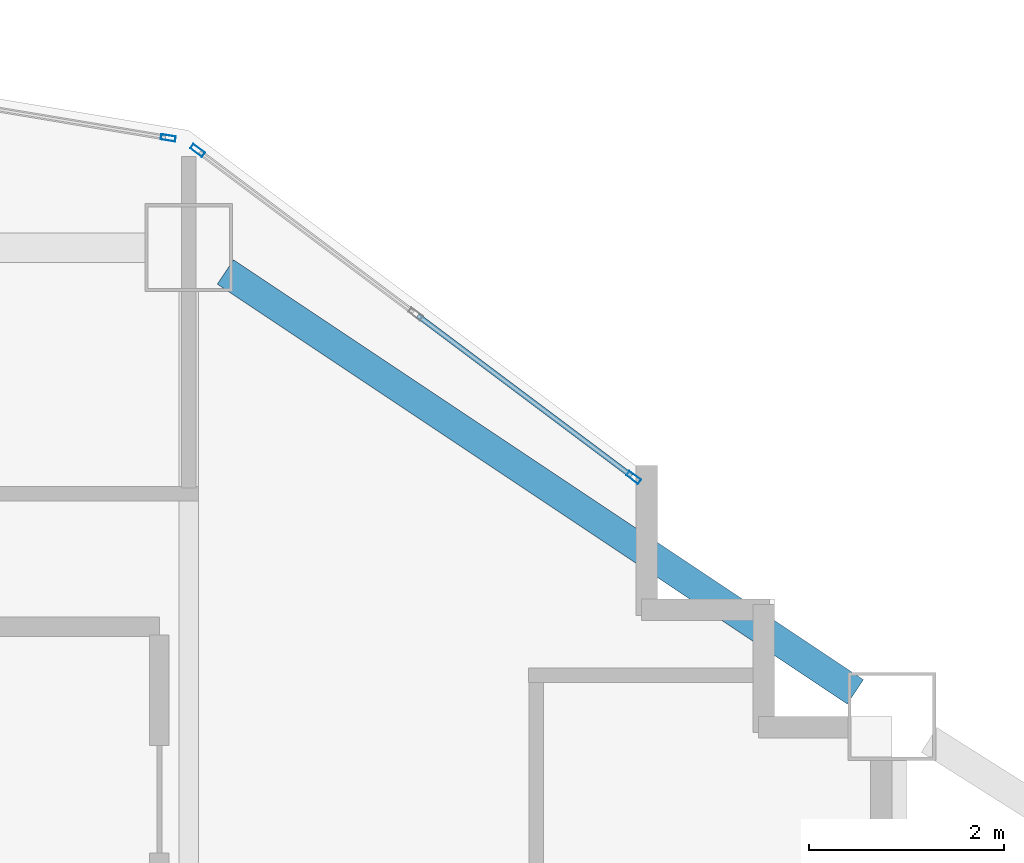
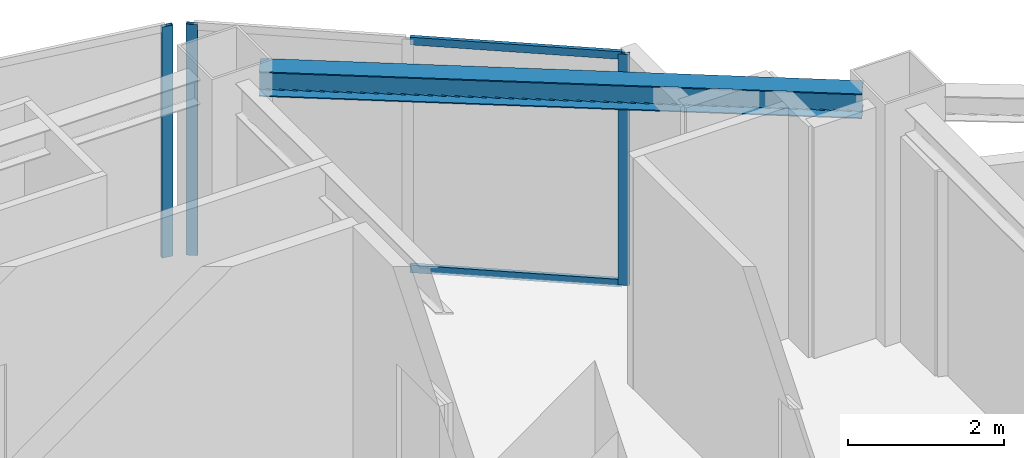
# One storey, part 3 of 11: 5 members, 1 beam, 2 elements without a shape of their own.
"""IFC4 building model written with IfcOpenShell, lengths in metres."""

from ifc_helpers import new_model, si_unit, direction, frame, origin, origin_2d, place, context, subcontext, project, spatial, hollow_rectangle, i_section, extrude, material, layer, layer_set, material_profile, profile_set, type_object, element, aggregate, save


model = new_model("IFC4")

# Units and contexts
model_context = context("Model", 3, precision=1e-05, world=origin(), true_north=direction((0.0, 1.0)))
body_context = subcontext(model_context, "Body", "Model", "MODEL_VIEW")
ifc_project = project(units=[si_unit("LENGTHUNIT", "METRE"), si_unit("AREAUNIT", "SQUARE_METRE"), si_unit("VOLUMEUNIT", "CUBIC_METRE"), si_unit("PLANEANGLEUNIT", "RADIAN"), si_unit("MASSUNIT", "GRAM", prefix="KILO")], contexts=[model_context])

# Site, building, storey
site_placement = place(None, origin())
site = spatial("IfcSite", under=ifc_project, at=site_placement, CompositionType="ELEMENT")
building_placement = place(site_placement, origin())
building = spatial("IfcBuilding", under=site, at=building_placement, Name="Haolan Belvedere Tower", CompositionType="ELEMENT")
storey_placement = place(building_placement, frame((0.0, 0.0, 211.60009765625)))
storey = spatial("IfcBuildingStorey", under=building, at=storey_placement, Name="L53", CompositionType="ELEMENT", Elevation=211.60009765625)

# Beam
ifc_material_1 = material(Name="Steel Q355B", Category="steel")
ifc_material_profile_1 = material_profile(ifc_material_1, i_section(OverallWidth=0.300048828125, OverallDepth=0.389892578125, WebThickness=0.010009765625, FlangeThickness=0.01611328125, FilletRadius=0.02197265625, at=origin_2d()), Name="Steel Q355B")
ifc_profile_set_1 = profile_set([ifc_material_profile_1], Name="Steel Q355B")
beam_type = type_object("IfcBeamType", Name="BM-HM390x300x10x16", PredefinedType="SPANDREL", material=ifc_profile_set_1)
beam_placement = place(storey_placement, frame((45.974365234375, 50.150390625, 3.4248046875), z_axis=(0.832050294338, -0.554700196225, 0.0), x_axis=(0.554700196225, 0.832050294338, 0.0)))
element("IfcBeam", 1, at=beam_placement, inside=storey, type_object=beam_type, Name="L53 spandrel girder MC-T3-N2-MC-T3-NE", PredefinedType="SPANDREL", context=body_context, shape_type="SweptSolid", body=[
    extrude(i_section(OverallWidth=0.300048828125, OverallDepth=0.389892578125, WebThickness=0.010009765625, FlangeThickness=0.01611328125, FilletRadius=0.02197265625, at=origin_2d()), origin(), (0.0, 0.0, 1.0), 7.75341796875),
])

# Curtain wall, members
ifc_material_2 = material(Name="Anodised champagne-silver aluminium 6063-T6 and Low-E glass", Category="aluminium")
ifc_layer = layer(ifc_material_2, 0.14990234375, Name="Anodised champagne-silver aluminium 6063-T6 and Low-E glass")
ifc_layer_set = layer_set([ifc_layer], Name="Anodised champagne-silver aluminium 6063-T6 and Low-E glass")
curtain_wall_type = type_object("IfcCurtainWallType", Name="CW-SYS-04", PredefinedType="NOTDEFINED", material=ifc_layer_set)
curtain_wall_1_placement = place(storey_placement, origin())
curtain_wall_1 = element("IfcCurtainWall", 2, at=curtain_wall_1_placement, inside=storey, type_object=curtain_wall_type, Name="L53 CW-SYS-04 ribbon curtain wall 20.1", PredefinedType="NOTDEFINED")
ifc_material_3 = material(Name="Anodised aluminium 6063-T6", Category="aluminium")
ifc_material_profile_2 = material_profile(ifc_material_3, hollow_rectangle(XDim=0.055908203125, YDim=0.14990234375, WallThickness=0.00390625, at=origin_2d()), Name="Anodised aluminium 6063-T6")
ifc_profile_set_2 = profile_set([ifc_material_profile_2], Name="Anodised aluminium 6063-T6")
member_type_1 = type_object("IfcMemberType", Name="CW-SYS-04-MUL", PredefinedType="MULLION", material=ifc_profile_set_2)
member_1_placement = place(storey_placement, frame((50.155517578125, 48.0458984375, 0.0), z_axis=(0.0, 0.0, 1.0), x_axis=(-0.600002837806, -0.799997871638, 0.0)))
member_1 = element("IfcMember", 3, at=member_1_placement, type_object=member_type_1, Name="CW-04 mullion 1", PredefinedType="MULLION", context=body_context, shape_type="SweptSolid", body=[
    extrude(hollow_rectangle(XDim=0.055908203125, YDim=0.14990234375, WallThickness=0.00390625, at=origin_2d()), origin(), (0.0, 0.0, 1.0), 3.619873046875),
])
member_2_placement = place(storey_placement, frame((45.68994140625, 51.39501953125, 0.0), z_axis=(0.0, 0.0, 1.0), x_axis=(-0.600002837806, -0.799997871638, 0.0)))
member_2 = element("IfcMember", 4, at=member_2_placement, type_object=member_type_1, Name="CW-04 mullion 3", PredefinedType="MULLION", context=body_context, shape_type="SweptSolid", body=[
    extrude(hollow_rectangle(XDim=0.055908203125, YDim=0.14990234375, WallThickness=0.00390625, at=origin_2d()), origin(), (0.0, 0.0, 1.0), 3.619873046875),
])

# Curtain wall, member
curtain_wall_2_placement = place(storey_placement, origin())
curtain_wall_2 = element("IfcCurtainWall", 5, at=curtain_wall_2_placement, inside=storey, type_object=curtain_wall_type, Name="L53 CW-SYS-04 ribbon curtain wall 21.1", PredefinedType="NOTDEFINED")
member_3_placement = place(storey_placement, frame((45.389892578125, 51.5234375, 0.0), z_axis=(0.0, 0.0, 1.0), x_axis=(-0.164405962825, -0.98639276122, 0.0)))
member_3 = element("IfcMember", 6, at=member_3_placement, type_object=member_type_1, Name="CW-04 mullion 1", PredefinedType="MULLION", context=body_context, shape_type="SweptSolid", body=[
    extrude(hollow_rectangle(XDim=0.055908203125, YDim=0.14990234375, WallThickness=0.00390625, at=origin_2d()), origin(), (0.0, 0.0, 1.0), 3.619873046875),
])
aggregate(curtain_wall_2, [member_3])

# Member
ifc_material_profile_3 = material_profile(ifc_material_3, hollow_rectangle(XDim=0.052001953125, YDim=0.1201171875, WallThickness=0.00390625, at=origin_2d()), Name="Anodised aluminium 6063-T6")
ifc_profile_set_3 = profile_set([ifc_material_profile_3], Name="Anodised aluminium 6063-T6")
member_type_2 = type_object("IfcMemberType", Name="CW-SYS-04-TRN", PredefinedType="USERDEFINED", material=ifc_profile_set_3)
member_4_placement = place(storey_placement, frame((50.13330078125, 48.0625, 0.02587890625), z_axis=(-0.800010710715, 0.59998571878, 0.0), x_axis=(-0.59998571878, -0.800010710715, 0.0)))
member_4 = element("IfcMember", 7, at=member_4_placement, type_object=member_type_2, Name="CW-04 transom 1.1", ObjectType="TRANSOM", PredefinedType="USERDEFINED", context=body_context, shape_type="SweptSolid", body=[
    extrude(hollow_rectangle(XDim=0.052001953125, YDim=0.1201171875, WallThickness=0.00390625, at=origin_2d()), origin(), (0.0, 0.0, 1.0), 2.7353515625),
])

member_5_placement = place(storey_placement, frame((50.13330078125, 48.0625, 3.593994140625), z_axis=(-0.800010710715, 0.59998571878, 0.0), x_axis=(-0.59998571878, -0.800010710715, 0.0)))
member_5 = element("IfcMember", 8, at=member_5_placement, type_object=member_type_2, Name="CW-04 transom 1.2", ObjectType="TRANSOM", PredefinedType="USERDEFINED", context=body_context, shape_type="SweptSolid", body=[
    extrude(hollow_rectangle(XDim=0.052001953125, YDim=0.1201171875, WallThickness=0.00390625, at=origin_2d()), origin(), (0.0, 0.0, 1.0), 2.7353515625),
])

aggregate(curtain_wall_1, [member_1, member_2, member_4, member_5])

save(model, "model.ifc")
